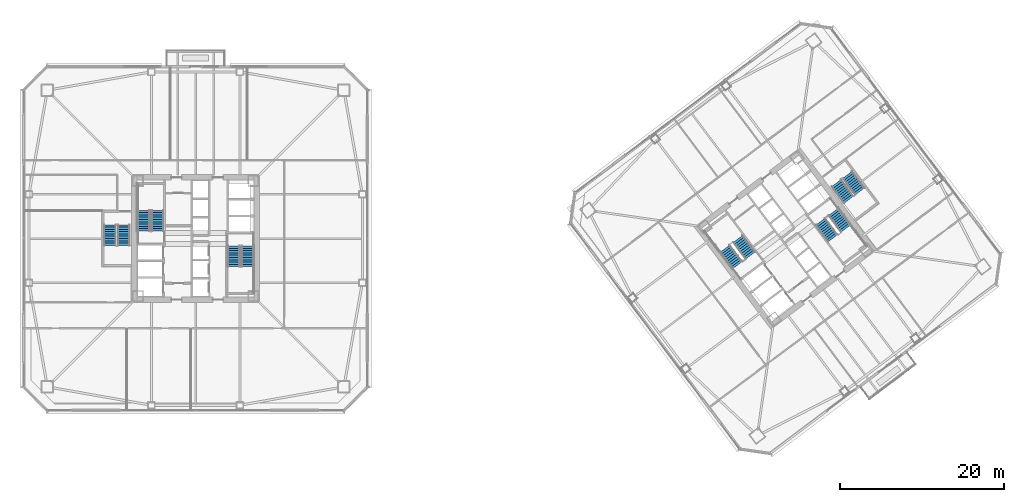
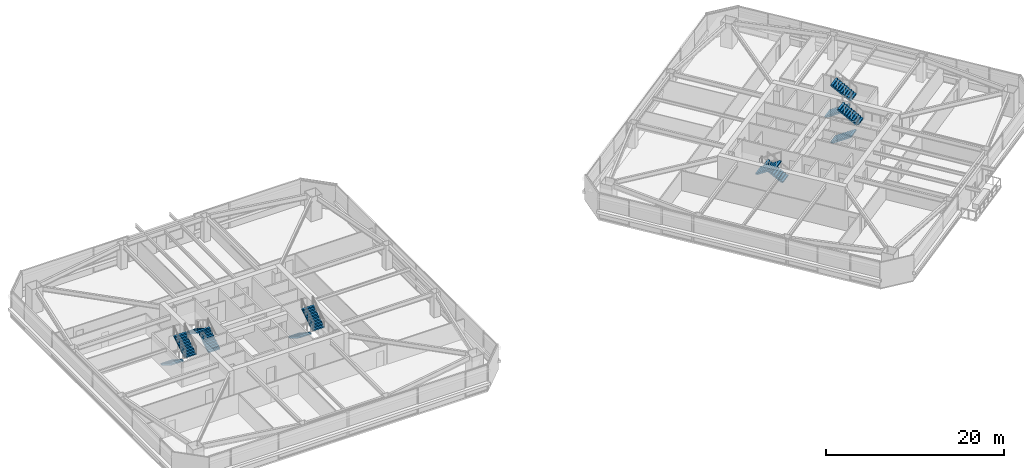
# One storey, part 42 of 48: 12 stair flights, 6 elements without a shape of their own.
"""IFC4 building model written with IfcOpenShell, lengths in metres."""

import ifcopenshell
import ifcopenshell.guid

model = None  # the IFC model being written
_history = None  # IfcOwnerHistory: only IFC2X3 demands one
_inside = {}  # id of a spatial element -> (the spatial element, [elements in it])
_under = {}  # id of a project, library or spatial element -> (it, [spatial elements below it])
_declared = {}  # id of a project -> (the project, [libraries it declares])
_typed = {}  # id of a type object -> (the type object, [elements of that type])
_made_of = {}  # id of a material, layer set ... -> (it, [elements and type objects made of it])


def new_model(schema):
    """Start an empty IFC model of exactly this schema.

    Asked for "IFC4X3", IfcOpenShell would pick the latest addendum, in which some entities
    have other attributes; the version numbers below select the first issue.
    IFC2X3 requires an IfcOwnerHistory on every rooted entity: one is made here for all.
    """
    global model, _history
    if schema == "IFC4X3":
        model = ifcopenshell.file(schema_version=(4, 3, 0, 0))
    else:
        model = ifcopenshell.file(schema=schema)
    _inside.clear()
    _under.clear()
    _declared.clear()
    _typed.clear()
    _made_of.clear()
    _history = None
    if model.schema == "IFC2X3":
        org = make("IfcOrganization", Name="unknown")
        user = make(
            "IfcPersonAndOrganization",
            ThePerson=make("IfcPerson", FamilyName="unknown"),
            TheOrganization=org,
        )
        app = make(
            "IfcApplication",
            ApplicationDeveloper=org,
            Version="unknown",
            ApplicationFullName="unknown",
            ApplicationIdentifier="unknown",
        )
        _history = make(
            "IfcOwnerHistory",
            OwningUser=user,
            OwningApplication=app,
            ChangeAction="ADDED",
            CreationDate=0,
        )
    return model


def make(cls, **values):
    """One entity of the class cls with the attributes given. An attribute that is None is left unset."""
    return model.create_entity(
        cls, **{name: value for name, value in values.items() if value is not None}
    )


def rooted(cls, **values):
    """An entity with a GlobalId (a new one), such as an element, a storey or a relation."""
    return make(cls, GlobalId=ifcopenshell.guid.new(), OwnerHistory=_history, **values)


def si_unit(unit_type, name, prefix=None):
    """IfcSIUnit, for example si_unit("LENGTHUNIT", "METRE", prefix="MILLI")."""
    return make("IfcSIUnit", UnitType=unit_type, Prefix=prefix, Name=name)


def assignment(units):
    """IfcUnitAssignment: the units of a project."""
    return None if units is None else make("IfcUnitAssignment", Units=units)


def point(xyz):
    """IfcCartesianPoint."""
    return None if xyz is None else make("IfcCartesianPoint", Coordinates=xyz)


def direction(xyz):
    """IfcDirection."""
    return None if xyz is None else make("IfcDirection", DirectionRatios=xyz)


def frame(location, z_axis=None, x_axis=None):
    """IfcAxis2Placement3D, a coordinate frame: its origin and axes. An axis left out is left unset."""
    return make(
        "IfcAxis2Placement3D",
        Location=point(location),
        Axis=direction(z_axis),
        RefDirection=direction(x_axis),
    )


def origin():
    """The frame at (0, 0, 0) with its axes left unset."""
    return frame((0.0, 0.0, 0.0))


def place(relative_to, where):
    """IfcLocalPlacement: puts the frame where relative to a parent placement (None: the world)."""
    return make(
        "IfcLocalPlacement", PlacementRelTo=relative_to, RelativePlacement=where
    )


def context(
    kind, dimensions, precision=None, world=None, true_north=None, identifier=None
):
    """IfcGeometricRepresentationContext, for example the 3D "Model" context."""
    return make(
        "IfcGeometricRepresentationContext",
        ContextIdentifier=identifier,
        ContextType=kind,
        CoordinateSpaceDimension=dimensions,
        Precision=precision,
        WorldCoordinateSystem=world,
        TrueNorth=true_north,
    )


def subcontext(parent, identifier, kind, view, scale=None):
    """IfcGeometricRepresentationSubContext, for example "Body" below "Model"."""
    return make(
        "IfcGeometricRepresentationSubContext",
        ContextIdentifier=identifier,
        ContextType=kind,
        ParentContext=parent,
        TargetScale=scale,
        TargetView=view,
    )


def project(units=None, contexts=None):
    """IfcProject with its units and contexts."""
    return rooted(
        "IfcProject",
        Name="project",
        RepresentationContexts=contexts,
        UnitsInContext=assignment(units),
    )


def spatial(cls, under=None, at=None, **own):
    """A site, building, storey or space (cls), placed at a placement, below another one or the project."""
    s = rooted(cls, ObjectPlacement=at, **own)
    if under is not None:
        _under.setdefault(under.id(), (under, []))[1].append(s)
    return s


def polyline(points):
    """IfcPolyline through the points."""
    return make("IfcPolyline", Points=[point(p) for p in points])


def outline(outer, holes=None, kind="AREA"):
    """IfcArbitraryClosedProfileDef: a profile drawn as a closed curve; with holes, ...WithVoids."""
    if holes is None:
        return make("IfcArbitraryClosedProfileDef", ProfileType=kind, OuterCurve=outer)
    return make(
        "IfcArbitraryProfileDefWithVoids",
        ProfileType=kind,
        OuterCurve=outer,
        InnerCurves=holes,
    )


def extrude(swept, where, along, depth):
    """IfcExtrudedAreaSolid: the profile swept, set in the frame where, extruded along a direction by depth."""
    return make(
        "IfcExtrudedAreaSolid",
        SweptArea=swept,
        Position=where,
        ExtrudedDirection=direction(along),
        Depth=depth,
    )


def shape(context_of_items, identifier, shape_type, items):
    """IfcShapeRepresentation: the items that make up one representation, for example the "Body"."""
    return make(
        "IfcShapeRepresentation",
        ContextOfItems=context_of_items,
        RepresentationIdentifier=identifier,
        RepresentationType=shape_type,
        Items=items,
    )


def material(Name=None, Category=None):
    """IfcMaterial."""
    return make("IfcMaterial", Name=Name, Category=Category)


def made_of(thing, what):
    """Note that an element or type object is made of a material, layer set ...; save() writes the relation."""
    if what is not None:
        _made_of.setdefault(what.id(), (what, []))[1].append(thing)
    return thing


def type_object(cls, material=None, **own):
    """A type object (cls), such as IfcWallType, which elements share."""
    return made_of(rooted(cls, **own), material)


def element(
    cls,
    number,
    at=None,
    inside=None,
    cuts=None,
    type_object=None,
    material=None,
    context=None,
    identifier="Body",
    shape_type=None,
    held_by="IfcProductDefinitionShape",
    body=None,
    shapes=None,
    **own,
):
    """One element of the class cls, such as IfcWall. Its Tag is "e" and its number.

    at: its placement. inside: the storey or other place that contains it. cuts: it is an
    opening in that element (IfcRelVoidsElement). A single representation is given by context,
    identifier, shape_type and body (its items); several are given by shapes. held_by: the class
    of the entity that holds the representations. save() writes the other relations.
    """
    e = rooted(cls, Tag="e%d" % number, ObjectPlacement=at, **own)
    if body is not None:
        shapes = [shape(context, identifier, shape_type, body)]
    if shapes is not None:
        e.Representation = make(held_by, Representations=shapes)
    if inside is not None:
        _inside.setdefault(inside.id(), (inside, []))[1].append(e)
    if cuts is not None:
        rooted(
            "IfcRelVoidsElement", RelatingBuildingElement=cuts, RelatedOpeningElement=e
        )
    if type_object is not None:
        _typed.setdefault(type_object.id(), (type_object, []))[1].append(e)
    return made_of(e, material)


def aggregate(whole, parts):
    """IfcRelAggregates: a whole, such as a stair, and the parts it consists of."""
    return rooted("IfcRelAggregates", RelatingObject=whole, RelatedObjects=parts)


def save(model, path):
    """Write the relations noted so far, then the file.

    IfcRelAggregates (storeys below a building ...), IfcRelContainedInSpatialStructure (elements
    in a storey), IfcRelDefinesByType, IfcRelAssociatesMaterial and IfcRelDeclares: one each for
    every whole, place, type object, material and project.
    """
    for whole, parts in _under.values():
        aggregate(whole, parts)
    for where, things in _inside.values():
        rooted(
            "IfcRelContainedInSpatialStructure",
            RelatedElements=things,
            RelatingStructure=where,
        )
    for kind, things in _typed.values():
        rooted("IfcRelDefinesByType", RelatedObjects=things, RelatingType=kind)
    for what, things in _made_of.values():
        rooted("IfcRelAssociatesMaterial", RelatedObjects=things, RelatingMaterial=what)
    for by, libraries in _declared.values():
        rooted("IfcRelDeclares", RelatingContext=by, RelatedDefinitions=libraries)
    model.write(path)


model = new_model("IFC4")

# Units and contexts
model_context = context("Model", 3, precision=1e-05, world=origin(), true_north=direction((0.0, 1.0)))
body_context = subcontext(model_context, "Body", "Model", "MODEL_VIEW")
ifc_project = project(units=[si_unit("LENGTHUNIT", "METRE"), si_unit("AREAUNIT", "SQUARE_METRE"), si_unit("VOLUMEUNIT", "CUBIC_METRE"), si_unit("PLANEANGLEUNIT", "RADIAN"), si_unit("MASSUNIT", "GRAM", prefix="KILO")], contexts=[model_context])

# Site, building, storey
site_placement = place(None, origin())
site = spatial("IfcSite", under=ifc_project, at=site_placement, CompositionType="ELEMENT")
building_placement = place(site_placement, origin())
building = spatial("IfcBuilding", under=site, at=building_placement, Name="Tashvorn Skyway Center", CompositionType="ELEMENT")
storey_placement = place(building_placement, frame((0.0, 0.0, 77.85009765625)))
storey = spatial("IfcBuildingStorey", under=building, at=storey_placement, Name="L20", CompositionType="ELEMENT", Elevation=77.85009765625)

# Stair, stair flights
ifc_material = material(Name="Concrete C40/50", Category="concrete")
stair_type = type_object("IfcStairType", Name="STAIR-CORE-1500", PredefinedType="HALF_TURN_STAIR", material=ifc_material)
stair_1_placement = place(storey_placement, origin())
stair_1 = element("IfcStair", 1, at=stair_1_placement, inside=storey, type_object=stair_type, Name="L20 Tower 1 Exit Stair 1", PredefinedType="HALF_TURN_STAIR")
stair_flight_type = type_object("IfcStairFlightType", Name="SFLIGHT-1500", PredefinedType="STRAIGHT", material=ifc_material)
stair_flight_1_placement = place(storey_placement, frame((37.35009765625, 32.919921875, 0.0), z_axis=(0.0, 0.0, 1.0), x_axis=(0.0, 1.0, 0.0)))
stair_flight_1 = element("IfcStairFlight", 2, at=stair_flight_1_placement, type_object=stair_flight_type, Name="ST-T1-1 flight 1", NumberOfRisers=10, NumberOfTreads=9, PredefinedType="STRAIGHT", RiserHeight=0.1775, TreadLength=0.28, context=body_context, shape_type="SweptSolid", body=[
    extrude(outline(polyline([(0.0, 0.0), (0.0, 0.177490234375), (0.280029296875, 0.177490234375), (0.280029296875, 0.35498046875), (0.56005859375, 0.35498046875), (0.56005859375, 0.532470703125), (0.840087890625, 0.532470703125), (0.840087890625, 0.7099609375), (1.1201171875, 0.7099609375), (1.1201171875, 0.887451171875), (1.39990234375, 0.887451171875), (1.39990234375, 1.06494140625), (1.679931640625, 1.06494140625), (1.679931640625, 1.242431640625), (1.9599609375, 1.242431640625), (1.9599609375, 1.419921875), (2.239990234375, 1.419921875), (2.239990234375, 1.597412109375), (2.52001953125, 1.597412109375), (2.52001953125, 1.77490234375), (2.52001953125, 1.419921875), (0.280029296875, 0.0), (0.0, 0.0)])), frame((0.0, 0.75, 0.0), z_axis=(0.0, -1.0, 0.0), x_axis=(1.0, 0.0, 0.0)), (0.0, 0.0, 1.0), 1.5),
])
stair_flight_2_placement = place(storey_placement, frame((35.64990234375, 35.43994140625, 1.77490234375), z_axis=(0.0, 0.0, 1.0), x_axis=(0.0, -1.0, 0.0)))
stair_flight_2 = element("IfcStairFlight", 3, at=stair_flight_2_placement, type_object=stair_flight_type, Name="ST-T1-1 flight 2", NumberOfRisers=10, NumberOfTreads=9, PredefinedType="STRAIGHT", RiserHeight=0.1775, TreadLength=0.28, context=body_context, shape_type="SweptSolid", body=[
    extrude(outline(polyline([(0.0, 0.0), (0.0, 0.177490234375), (0.280029296875, 0.177490234375), (0.280029296875, 0.35498046875), (0.56005859375, 0.35498046875), (0.56005859375, 0.532470703125), (0.840087890625, 0.532470703125), (0.840087890625, 0.7099609375), (1.1201171875, 0.7099609375), (1.1201171875, 0.887451171875), (1.39990234375, 0.887451171875), (1.39990234375, 1.06494140625), (1.679931640625, 1.06494140625), (1.679931640625, 1.242431640625), (1.9599609375, 1.242431640625), (1.9599609375, 1.419921875), (2.239990234375, 1.419921875), (2.239990234375, 1.597412109375), (2.52001953125, 1.597412109375), (2.52001953125, 1.77490234375), (2.52001953125, 1.419921875), (0.280029296875, 0.0), (0.0, 0.0)])), frame((0.0, 0.75, 0.0), z_axis=(0.0, -1.0, 0.0), x_axis=(1.0, 0.0, 0.0)), (0.0, 0.0, 1.0), 1.5),
])
aggregate(stair_1, [stair_flight_1, stair_flight_2])

stair_2_placement = place(storey_placement, origin())
stair_2 = element("IfcStair", 4, at=stair_2_placement, inside=storey, type_object=stair_type, Name="L20 Tower 1 Exit Stair 2", PredefinedType="HALF_TURN_STAIR")
stair_flight_3_placement = place(storey_placement, frame((46.64990234375, 31.080078125, 0.0), z_axis=(0.0, 0.0, 1.0), x_axis=(0.0, -1.0, 0.0)))
stair_flight_3 = element("IfcStairFlight", 5, at=stair_flight_3_placement, type_object=stair_flight_type, Name="ST-T1-2 flight 1", NumberOfRisers=10, NumberOfTreads=9, PredefinedType="STRAIGHT", RiserHeight=0.1775, TreadLength=0.28, context=body_context, shape_type="SweptSolid", body=[
    extrude(outline(polyline([(0.0, 0.0), (0.0, 0.177490234375), (0.280029296875, 0.177490234375), (0.280029296875, 0.35498046875), (0.56005859375, 0.35498046875), (0.56005859375, 0.532470703125), (0.840087890625, 0.532470703125), (0.840087890625, 0.7099609375), (1.1201171875, 0.7099609375), (1.1201171875, 0.887451171875), (1.39990234375, 0.887451171875), (1.39990234375, 1.06494140625), (1.679931640625, 1.06494140625), (1.679931640625, 1.242431640625), (1.9599609375, 1.242431640625), (1.9599609375, 1.419921875), (2.239990234375, 1.419921875), (2.239990234375, 1.597412109375), (2.52001953125, 1.597412109375), (2.52001953125, 1.77490234375), (2.52001953125, 1.419921875), (0.280029296875, 0.0), (0.0, 0.0)])), frame((0.0, 0.75, 0.0), z_axis=(0.0, -1.0, 0.0), x_axis=(1.0, 0.0, 0.0)), (0.0, 0.0, 1.0), 1.5),
])
stair_flight_4_placement = place(storey_placement, frame((48.35009765625, 28.56005859375, 1.77490234375), z_axis=(0.0, 0.0, 1.0), x_axis=(0.0, 1.0, 0.0)))
stair_flight_4 = element("IfcStairFlight", 6, at=stair_flight_4_placement, type_object=stair_flight_type, Name="ST-T1-2 flight 2", NumberOfRisers=10, NumberOfTreads=9, PredefinedType="STRAIGHT", RiserHeight=0.1775, TreadLength=0.28, context=body_context, shape_type="SweptSolid", body=[
    extrude(outline(polyline([(0.0, 0.0), (0.0, 0.177490234375), (0.280029296875, 0.177490234375), (0.280029296875, 0.35498046875), (0.56005859375, 0.35498046875), (0.56005859375, 0.532470703125), (0.840087890625, 0.532470703125), (0.840087890625, 0.7099609375), (1.1201171875, 0.7099609375), (1.1201171875, 0.887451171875), (1.39990234375, 0.887451171875), (1.39990234375, 1.06494140625), (1.679931640625, 1.06494140625), (1.679931640625, 1.242431640625), (1.9599609375, 1.242431640625), (1.9599609375, 1.419921875), (2.239990234375, 1.419921875), (2.239990234375, 1.597412109375), (2.52001953125, 1.597412109375), (2.52001953125, 1.77490234375), (2.52001953125, 1.419921875), (0.280029296875, 0.0), (0.0, 0.0)])), frame((0.0, 0.75, 0.0), z_axis=(0.0, -1.0, 0.0), x_axis=(1.0, 0.0, 0.0)), (0.0, 0.0, 1.0), 1.5),
])
aggregate(stair_2, [stair_flight_3, stair_flight_4])

stair_3_placement = place(storey_placement, origin())
stair_3 = element("IfcStair", 7, at=stair_3_placement, inside=storey, type_object=stair_type, Name="L20 Tower 2 Exit Stair 1", PredefinedType="HALF_TURN_STAIR")
stair_flight_5_placement = place(storey_placement, frame((109.72802734375, 29.946044921875, 0.0), z_axis=(0.0, 0.0, 1.0), x_axis=(-0.600000004945, 0.799999996291, 0.0)))
stair_flight_5 = element("IfcStairFlight", 8, at=stair_flight_5_placement, type_object=stair_flight_type, Name="ST-T2-1 flight 1", NumberOfRisers=10, NumberOfTreads=9, PredefinedType="STRAIGHT", RiserHeight=0.1775, TreadLength=0.28, context=body_context, shape_type="SweptSolid", body=[
    extrude(outline(polyline([(0.0, 0.0), (0.0, 0.177490234375), (0.280029296875, 0.177490234375), (0.280029296875, 0.35498046875), (0.56005859375, 0.35498046875), (0.56005859375, 0.532470703125), (0.840087890625, 0.532470703125), (0.840087890625, 0.7099609375), (1.1201171875, 0.7099609375), (1.1201171875, 0.887451171875), (1.39990234375, 0.887451171875), (1.39990234375, 1.06494140625), (1.679931640625, 1.06494140625), (1.679931640625, 1.242431640625), (1.9599609375, 1.242431640625), (1.9599609375, 1.419921875), (2.239990234375, 1.419921875), (2.239990234375, 1.597412109375), (2.52001953125, 1.597412109375), (2.52001953125, 1.77490234375), (2.52001953125, 1.419921875), (0.280029296875, 0.0), (0.0, 0.0)])), frame((0.0, 0.75, 0.0), z_axis=(0.0, -1.0, 0.0), x_axis=(1.0, 0.0, 0.0)), (0.0, 0.0, 1.0), 1.5),
])
stair_flight_6_placement = place(storey_placement, frame((106.632080078125, 30.77392578125, 1.77490234375), z_axis=(0.0, 0.0, 1.0), x_axis=(0.600000004945, -0.799999996291, 0.0)))
stair_flight_6 = element("IfcStairFlight", 9, at=stair_flight_6_placement, type_object=stair_flight_type, Name="ST-T2-1 flight 2", NumberOfRisers=10, NumberOfTreads=9, PredefinedType="STRAIGHT", RiserHeight=0.1775, TreadLength=0.28, context=body_context, shape_type="SweptSolid", body=[
    extrude(outline(polyline([(0.0, 0.0), (0.0, 0.177490234375), (0.280029296875, 0.177490234375), (0.280029296875, 0.35498046875), (0.56005859375, 0.35498046875), (0.56005859375, 0.532470703125), (0.840087890625, 0.532470703125), (0.840087890625, 0.7099609375), (1.1201171875, 0.7099609375), (1.1201171875, 0.887451171875), (1.39990234375, 0.887451171875), (1.39990234375, 1.06494140625), (1.679931640625, 1.06494140625), (1.679931640625, 1.242431640625), (1.9599609375, 1.242431640625), (1.9599609375, 1.419921875), (2.239990234375, 1.419921875), (2.239990234375, 1.597412109375), (2.52001953125, 1.597412109375), (2.52001953125, 1.77490234375), (2.52001953125, 1.419921875), (0.280029296875, 0.0), (0.0, 0.0)])), frame((0.0, 0.75, 0.0), z_axis=(0.0, -1.0, 0.0), x_axis=(1.0, 0.0, 0.0)), (0.0, 0.0, 1.0), 1.5),
])
aggregate(stair_3, [stair_flight_5, stair_flight_6])

stair_4_placement = place(storey_placement, origin())
stair_4 = element("IfcStair", 10, at=stair_4_placement, inside=storey, type_object=stair_type, Name="L20 Tower 2 Exit Stair 2", PredefinedType="HALF_TURN_STAIR")
stair_flight_7_placement = place(storey_placement, frame((118.27197265625, 34.053955078125, 0.0), z_axis=(0.0, 0.0, 1.0), x_axis=(0.600000004945, -0.799999996291, 0.0)))
stair_flight_7 = element("IfcStairFlight", 11, at=stair_flight_7_placement, type_object=stair_flight_type, Name="ST-T2-2 flight 1", NumberOfRisers=10, NumberOfTreads=9, PredefinedType="STRAIGHT", RiserHeight=0.1775, TreadLength=0.28, context=body_context, shape_type="SweptSolid", body=[
    extrude(outline(polyline([(0.0, 0.0), (0.0, 0.177490234375), (0.280029296875, 0.177490234375), (0.280029296875, 0.35498046875), (0.56005859375, 0.35498046875), (0.56005859375, 0.532470703125), (0.840087890625, 0.532470703125), (0.840087890625, 0.7099609375), (1.1201171875, 0.7099609375), (1.1201171875, 0.887451171875), (1.39990234375, 0.887451171875), (1.39990234375, 1.06494140625), (1.679931640625, 1.06494140625), (1.679931640625, 1.242431640625), (1.9599609375, 1.242431640625), (1.9599609375, 1.419921875), (2.239990234375, 1.419921875), (2.239990234375, 1.597412109375), (2.52001953125, 1.597412109375), (2.52001953125, 1.77490234375), (2.52001953125, 1.419921875), (0.280029296875, 0.0), (0.0, 0.0)])), frame((0.0, 0.75, 0.0), z_axis=(0.0, -1.0, 0.0), x_axis=(1.0, 0.0, 0.0)), (0.0, 0.0, 1.0), 1.5),
])
stair_flight_8_placement = place(storey_placement, frame((121.367919921875, 33.22607421875, 1.77490234375), z_axis=(0.0, 0.0, 1.0), x_axis=(-0.600000004945, 0.799999996291, 0.0)))
stair_flight_8 = element("IfcStairFlight", 12, at=stair_flight_8_placement, type_object=stair_flight_type, Name="ST-T2-2 flight 2", NumberOfRisers=10, NumberOfTreads=9, PredefinedType="STRAIGHT", RiserHeight=0.1775, TreadLength=0.28, context=body_context, shape_type="SweptSolid", body=[
    extrude(outline(polyline([(0.0, 0.0), (0.0, 0.177490234375), (0.280029296875, 0.177490234375), (0.280029296875, 0.35498046875), (0.56005859375, 0.35498046875), (0.56005859375, 0.532470703125), (0.840087890625, 0.532470703125), (0.840087890625, 0.7099609375), (1.1201171875, 0.7099609375), (1.1201171875, 0.887451171875), (1.39990234375, 0.887451171875), (1.39990234375, 1.06494140625), (1.679931640625, 1.06494140625), (1.679931640625, 1.242431640625), (1.9599609375, 1.242431640625), (1.9599609375, 1.419921875), (2.239990234375, 1.419921875), (2.239990234375, 1.597412109375), (2.52001953125, 1.597412109375), (2.52001953125, 1.77490234375), (2.52001953125, 1.419921875), (0.280029296875, 0.0), (0.0, 0.0)])), frame((0.0, 0.75, 0.0), z_axis=(0.0, -1.0, 0.0), x_axis=(1.0, 0.0, 0.0)), (0.0, 0.0, 1.0), 1.5),
])
aggregate(stair_4, [stair_flight_7, stair_flight_8])

stair_5_placement = place(storey_placement, origin())
stair_5 = element("IfcStair", 13, at=stair_5_placement, inside=storey, type_object=stair_type, Name="L20 Tower 1 Exit Stair 3", PredefinedType="HALF_TURN_STAIR")
stair_flight_9_placement = place(storey_placement, frame((31.550048828125, 33.679931640625, 0.0), z_axis=(0.0, 0.0, 1.0), x_axis=(0.0, -1.0, 0.0)))
stair_flight_9 = element("IfcStairFlight", 14, at=stair_flight_9_placement, type_object=stair_flight_type, Name="ST-T1-3 flight 1", NumberOfRisers=10, NumberOfTreads=9, PredefinedType="STRAIGHT", RiserHeight=0.1775, TreadLength=0.28, context=body_context, shape_type="SweptSolid", body=[
    extrude(outline(polyline([(0.0, 0.0), (0.0, 0.177490234375), (0.280029296875, 0.177490234375), (0.280029296875, 0.35498046875), (0.56005859375, 0.35498046875), (0.56005859375, 0.532470703125), (0.840087890625, 0.532470703125), (0.840087890625, 0.7099609375), (1.1201171875, 0.7099609375), (1.1201171875, 0.887451171875), (1.39990234375, 0.887451171875), (1.39990234375, 1.06494140625), (1.679931640625, 1.06494140625), (1.679931640625, 1.242431640625), (1.9599609375, 1.242431640625), (1.9599609375, 1.419921875), (2.239990234375, 1.419921875), (2.239990234375, 1.597412109375), (2.52001953125, 1.597412109375), (2.52001953125, 1.77490234375), (2.52001953125, 1.419921875), (0.280029296875, 0.0), (0.0, 0.0)])), frame((0.0, 0.75, 0.0), z_axis=(0.0, -1.0, 0.0), x_axis=(1.0, 0.0, 0.0)), (0.0, 0.0, 1.0), 1.5),
])
stair_flight_10_placement = place(storey_placement, frame((33.25, 31.159912109375, 1.77490234375), z_axis=(0.0, 0.0, 1.0), x_axis=(0.0, 1.0, 0.0)))
stair_flight_10 = element("IfcStairFlight", 15, at=stair_flight_10_placement, type_object=stair_flight_type, Name="ST-T1-3 flight 2", NumberOfRisers=10, NumberOfTreads=9, PredefinedType="STRAIGHT", RiserHeight=0.1775, TreadLength=0.28, context=body_context, shape_type="SweptSolid", body=[
    extrude(outline(polyline([(0.0, 0.0), (0.0, 0.177490234375), (0.280029296875, 0.177490234375), (0.280029296875, 0.35498046875), (0.56005859375, 0.35498046875), (0.56005859375, 0.532470703125), (0.840087890625, 0.532470703125), (0.840087890625, 0.7099609375), (1.1201171875, 0.7099609375), (1.1201171875, 0.887451171875), (1.39990234375, 0.887451171875), (1.39990234375, 1.06494140625), (1.679931640625, 1.06494140625), (1.679931640625, 1.242431640625), (1.9599609375, 1.242431640625), (1.9599609375, 1.419921875), (2.239990234375, 1.419921875), (2.239990234375, 1.597412109375), (2.52001953125, 1.597412109375), (2.52001953125, 1.77490234375), (2.52001953125, 1.419921875), (0.280029296875, 0.0), (0.0, 0.0)])), frame((0.0, 0.75, 0.0), z_axis=(0.0, -1.0, 0.0), x_axis=(1.0, 0.0, 0.0)), (0.0, 0.0, 1.0), 1.5),
])
aggregate(stair_5, [stair_flight_9, stair_flight_10])

stair_6_placement = place(storey_placement, origin())
stair_6 = element("IfcStair", 16, at=stair_6_placement, inside=storey, type_object=stair_type, Name="L20 Tower 2 Exit Stair 3", PredefinedType="HALF_TURN_STAIR")
stair_flight_11_placement = place(storey_placement, frame((120.216064453125, 38.761962890625, 0.0), z_axis=(0.0, 0.0, 1.0), x_axis=(0.600000004945, -0.799999996291, 0.0)))
stair_flight_11 = element("IfcStairFlight", 17, at=stair_flight_11_placement, type_object=stair_flight_type, Name="ST-T2-3 flight 1", NumberOfRisers=10, NumberOfTreads=9, PredefinedType="STRAIGHT", RiserHeight=0.1775, TreadLength=0.28, context=body_context, shape_type="SweptSolid", body=[
    extrude(outline(polyline([(0.0, 0.0), (0.0, 0.177490234375), (0.280029296875, 0.177490234375), (0.280029296875, 0.35498046875), (0.56005859375, 0.35498046875), (0.56005859375, 0.532470703125), (0.840087890625, 0.532470703125), (0.840087890625, 0.7099609375), (1.1201171875, 0.7099609375), (1.1201171875, 0.887451171875), (1.39990234375, 0.887451171875), (1.39990234375, 1.06494140625), (1.679931640625, 1.06494140625), (1.679931640625, 1.242431640625), (1.9599609375, 1.242431640625), (1.9599609375, 1.419921875), (2.239990234375, 1.419921875), (2.239990234375, 1.597412109375), (2.52001953125, 1.597412109375), (2.52001953125, 1.77490234375), (2.52001953125, 1.419921875), (0.280029296875, 0.0), (0.0, 0.0)])), frame((0.0, 0.75, 0.0), z_axis=(0.0, -1.0, 0.0), x_axis=(1.0, 0.0, 0.0)), (0.0, 0.0, 1.0), 1.5),
])
stair_flight_12_placement = place(storey_placement, frame((123.087890625, 37.76611328125, 1.77490234375), z_axis=(0.0, 0.0, 1.0), x_axis=(-0.600000004945, 0.799999996291, 0.0)))
stair_flight_12 = element("IfcStairFlight", 18, at=stair_flight_12_placement, type_object=stair_flight_type, Name="ST-T2-3 flight 2", NumberOfRisers=10, NumberOfTreads=9, PredefinedType="STRAIGHT", RiserHeight=0.1775, TreadLength=0.28, context=body_context, shape_type="SweptSolid", body=[
    extrude(outline(polyline([(0.0, 0.0), (0.0, 0.177490234375), (0.280029296875, 0.177490234375), (0.280029296875, 0.35498046875), (0.56005859375, 0.35498046875), (0.56005859375, 0.532470703125), (0.840087890625, 0.532470703125), (0.840087890625, 0.7099609375), (1.1201171875, 0.7099609375), (1.1201171875, 0.887451171875), (1.39990234375, 0.887451171875), (1.39990234375, 1.06494140625), (1.679931640625, 1.06494140625), (1.679931640625, 1.242431640625), (1.9599609375, 1.242431640625), (1.9599609375, 1.419921875), (2.239990234375, 1.419921875), (2.239990234375, 1.597412109375), (2.52001953125, 1.597412109375), (2.52001953125, 1.77490234375), (2.52001953125, 1.419921875), (0.280029296875, 0.0), (0.0, 0.0)])), frame((0.0, 0.75, 0.0), z_axis=(0.0, -1.0, 0.0), x_axis=(1.0, 0.0, 0.0)), (0.0, 0.0, 1.0), 1.5),
])
aggregate(stair_6, [stair_flight_11, stair_flight_12])

save(model, "model.ifc")
